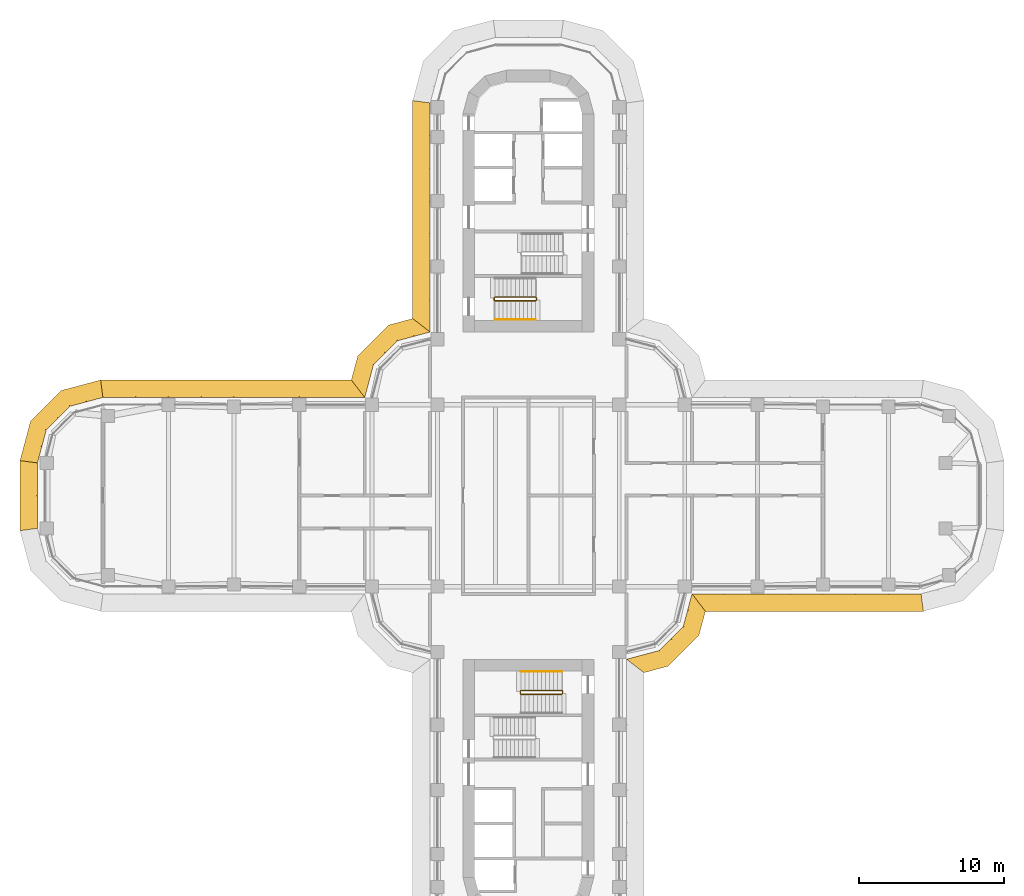
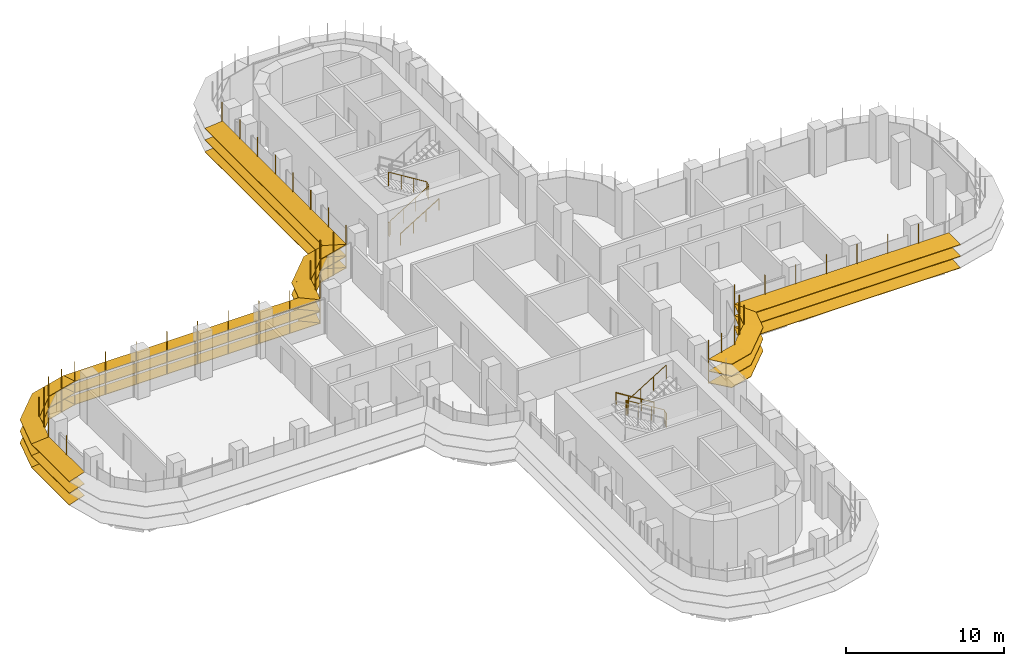
# One storey, part 20 of 22: 7 shading devices, 4 railings.
"""IFC4 building model written with IfcOpenShell, lengths in metres."""

from ifc_helpers import new_model, si_unit, direction, frame, origin, origin_2d, place, context, subcontext, project, spatial, polyline, circle, outline, extrude, faceted_brep, source, transform, mapped, material, type_object, element, save


model = new_model("IFC4")

# Units and contexts
model_context = context("Model", 3, precision=1e-05, world=origin(), true_north=direction((0.0, 1.0)))
body_context = subcontext(model_context, "Body", "Model", "MODEL_VIEW")
ifc_project = project(units=[si_unit("LENGTHUNIT", "METRE"), si_unit("AREAUNIT", "SQUARE_METRE"), si_unit("VOLUMEUNIT", "CUBIC_METRE"), si_unit("PLANEANGLEUNIT", "RADIAN"), si_unit("MASSUNIT", "GRAM", prefix="KILO")], contexts=[model_context])

# Site, building, storey
site_placement = place(None, origin())
site = spatial("IfcSite", under=ifc_project, at=site_placement, CompositionType="ELEMENT")
building_placement = place(site_placement, origin())
building = spatial("IfcBuilding", under=site, at=building_placement, Name="Zarbagh Exchange Tower", CompositionType="ELEMENT")
storey_placement = place(building_placement, frame((0.0, 0.0, 132.199951171875)))
storey = spatial("IfcBuildingStorey", under=building, at=storey_placement, Name="L31", CompositionType="ELEMENT", Elevation=132.199951171875)

# Railings
ifc_material_1 = material(Name="Stainless steel", Category="steel")
railing_type_1 = type_object("IfcRailingType", Name="Stair guard 1100 mm", PredefinedType="GUARDRAIL", material=ifc_material_1)
railing_1_placement = place(storey_placement, frame((-2.35009765625, 13.60009765625, 0.0)))
element("IfcRailing", 1, at=railing_1_placement, inside=storey, type_object=railing_type_1, Name="ST2 stair guard 1", PredefinedType="GUARDRAIL", context=body_context, shape_type="SweptSolid", body=[
    extrude(circle(Radius=0.02392578125, at=origin_2d()), frame((0.0, 0.0, 1.076171875), z_axis=(0.0, -1.0, 0.0), x_axis=(1.0, 0.0, 0.0)), (0.0, 0.0, 1.0), 0.150146484375),
    extrude(circle(Radius=0.02392578125, at=origin_2d()), frame((0.0, -0.150146484375, 1.076171875), z_axis=(0.267953482034, -0.267953482034, 0.925419830635), x_axis=(0.707106781187, 0.707106781187, 0.0)), (0.0, 0.0, 1.0), 0.186767578125),
    extrude(circle(Radius=0.02392578125, at=origin_2d()), frame((0.050048828125, -0.2001953125, 1.2490234375), z_axis=(0.851089632645, 0.0, 0.525020415988), x_axis=(0.0, 1.0, 0.0)), (0.0, 0.0, 1.0), 3.2900390625),
    extrude(circle(Radius=0.02392578125, at=origin_2d()), frame((2.85009765625, -0.2001953125, 2.97607421875), z_axis=(0.707106781187, 0.707106781187, 0.0), x_axis=(-0.707106781187, 0.707106781187, 0.0)), (0.0, 0.0, 1.0), 0.07080078125),
    extrude(circle(Radius=0.02392578125, at=origin_2d()), frame((2.900146484375, -0.150146484375, 2.97607421875), z_axis=(0.0, 1.0, 0.0), x_axis=(-1.0, 0.0, 0.0)), (0.0, 0.0, 1.0), 0.150146484375),
    extrude(circle(Radius=0.02392578125, at=origin_2d()), frame((2.900146484375, 0.0, 2.97607421875), z_axis=(-0.268371968888, 0.267062837333, 0.925556009775), x_axis=(-0.705375805398, -0.708833529934, 0.0)), (0.0, 0.0, 1.0), 0.1865234375),
    extrude(circle(Radius=0.02392578125, at=origin_2d()), frame((2.85009765625, 0.0498046875, 3.14892578125), z_axis=(-0.851089632645, 0.0, 0.525020415988), x_axis=(0.0, -1.0, 0.0)), (0.0, 0.0, 1.0), 3.2900390625),
    extrude(circle(Radius=0.02099609375, at=origin_2d()), origin(), (0.0, 0.0, 1.0), 1.052001953125),
    extrude(circle(Radius=0.02099609375, at=origin_2d()), frame((0.0, -0.150146484375, 0.0)), (0.0, 0.0, 1.0), 1.052001953125),
    extrude(circle(Radius=0.02099609375, at=origin_2d()), frame((0.050048828125, -0.2001953125, 0.1728515625)), (0.0, 0.0, 1.0), 1.052001953125),
    extrude(circle(Radius=0.02099609375, at=origin_2d()), frame((0.9833984375, -0.2001953125, 0.74853515625)), (0.0, 0.0, 1.0), 1.052001953125),
    extrude(circle(Radius=0.02099609375, at=origin_2d()), frame((1.916748046875, -0.2001953125, 1.324462890625)), (0.0, 0.0, 1.0), 1.052001953125),
    extrude(circle(Radius=0.02099609375, at=origin_2d()), frame((2.85009765625, -0.2001953125, 1.900146484375)), (0.0, 0.0, 1.0), 1.052001953125),
    extrude(circle(Radius=0.02099609375, at=origin_2d()), frame((2.900146484375, -0.150146484375, 1.900146484375)), (0.0, 0.0, 1.0), 1.052001953125),
    extrude(circle(Radius=0.02099609375, at=origin_2d()), frame((2.900146484375, 0.0, 1.900146484375)), (0.0, 0.0, 1.0), 1.052001953125),
    extrude(circle(Radius=0.02099609375, at=origin_2d()), frame((2.85009765625, 0.0498046875, 2.07275390625)), (0.0, 0.0, 1.0), 1.052001953125),
    extrude(circle(Radius=0.02099609375, at=origin_2d()), frame((1.916748046875, 0.0498046875, 2.6484375)), (0.0, 0.0, 1.0), 1.052001953125),
    extrude(circle(Radius=0.02099609375, at=origin_2d()), frame((0.9833984375, 0.0498046875, 3.224365234375)), (0.0, 0.0, 1.0), 1.052001953125),
    extrude(circle(Radius=0.02099609375, at=origin_2d()), frame((0.050048828125, 0.0498046875, 3.800048828125)), (0.0, 0.0, 1.0), 1.052001953125),
])
railing_2_placement = place(storey_placement, frame((2.35009765625, -13.60009765625, 0.0)))
element("IfcRailing", 2, at=railing_2_placement, inside=storey, type_object=railing_type_1, Name="ST4 stair guard 1", PredefinedType="GUARDRAIL", context=body_context, shape_type="SweptSolid", body=[
    extrude(circle(Radius=0.02392578125, at=origin_2d()), frame((0.0, 0.0, 1.076171875), z_axis=(0.0, 1.0, 0.0), x_axis=(-1.0, 0.0, 0.0)), (0.0, 0.0, 1.0), 0.150146484375),
    extrude(circle(Radius=0.02392578125, at=origin_2d()), frame((0.0, 0.150146484375, 1.076171875), z_axis=(-0.267953482034, 0.267953482034, 0.925419830635), x_axis=(-0.707106781187, -0.707106781187, 0.0)), (0.0, 0.0, 1.0), 0.186767578125),
    extrude(circle(Radius=0.02392578125, at=origin_2d()), frame((-0.050048828125, 0.2001953125, 1.2490234375), z_axis=(-0.851089632645, 0.0, 0.525020415988), x_axis=(0.0, -1.0, 0.0)), (0.0, 0.0, 1.0), 3.2900390625),
    extrude(circle(Radius=0.02392578125, at=origin_2d()), frame((-2.85009765625, 0.2001953125, 2.97607421875), z_axis=(-0.707106781187, -0.707106781187, 0.0), x_axis=(0.707106781187, -0.707106781187, 0.0)), (0.0, 0.0, 1.0), 0.07080078125),
    extrude(circle(Radius=0.02392578125, at=origin_2d()), frame((-2.900146484375, 0.150146484375, 2.97607421875), z_axis=(0.0, -1.0, 0.0), x_axis=(1.0, 0.0, 0.0)), (0.0, 0.0, 1.0), 0.150146484375),
    extrude(circle(Radius=0.02392578125, at=origin_2d()), frame((-2.900146484375, 0.0, 2.97607421875), z_axis=(0.268371968888, -0.267062837333, 0.925556009775), x_axis=(0.705375805398, 0.708833529934, 0.0)), (0.0, 0.0, 1.0), 0.1865234375),
    extrude(circle(Radius=0.02392578125, at=origin_2d()), frame((-2.85009765625, -0.0498046875, 3.14892578125), z_axis=(0.851089632645, 0.0, 0.525020415988), x_axis=(0.0, 1.0, 0.0)), (0.0, 0.0, 1.0), 3.2900390625),
    extrude(circle(Radius=0.02099609375, at=origin_2d()), origin(), (0.0, 0.0, 1.0), 1.052001953125),
    extrude(circle(Radius=0.02099609375, at=origin_2d()), frame((0.0, 0.150146484375, 0.0)), (0.0, 0.0, 1.0), 1.052001953125),
    extrude(circle(Radius=0.02099609375, at=origin_2d()), frame((-0.050048828125, 0.2001953125, 0.1728515625)), (0.0, 0.0, 1.0), 1.052001953125),
    extrude(circle(Radius=0.02099609375, at=origin_2d()), frame((-0.9833984375, 0.2001953125, 0.74853515625)), (0.0, 0.0, 1.0), 1.052001953125),
    extrude(circle(Radius=0.02099609375, at=origin_2d()), frame((-1.916748046875, 0.2001953125, 1.324462890625)), (0.0, 0.0, 1.0), 1.052001953125),
    extrude(circle(Radius=0.02099609375, at=origin_2d()), frame((-2.85009765625, 0.2001953125, 1.900146484375)), (0.0, 0.0, 1.0), 1.052001953125),
    extrude(circle(Radius=0.02099609375, at=origin_2d()), frame((-2.900146484375, 0.150146484375, 1.900146484375)), (0.0, 0.0, 1.0), 1.052001953125),
    extrude(circle(Radius=0.02099609375, at=origin_2d()), frame((-2.900146484375, 0.0, 1.900146484375)), (0.0, 0.0, 1.0), 1.052001953125),
    extrude(circle(Radius=0.02099609375, at=origin_2d()), frame((-2.85009765625, -0.0498046875, 2.07275390625)), (0.0, 0.0, 1.0), 1.052001953125),
    extrude(circle(Radius=0.02099609375, at=origin_2d()), frame((-1.916748046875, -0.0498046875, 2.6484375)), (0.0, 0.0, 1.0), 1.052001953125),
    extrude(circle(Radius=0.02099609375, at=origin_2d()), frame((-0.9833984375, -0.0498046875, 3.224365234375)), (0.0, 0.0, 1.0), 1.052001953125),
    extrude(circle(Radius=0.02099609375, at=origin_2d()), frame((-0.050048828125, -0.0498046875, 3.800048828125)), (0.0, 0.0, 1.0), 1.052001953125),
])
railing_type_2 = type_object("IfcRailingType", Name="Stair handrail 900 mm", PredefinedType="HANDRAIL", material=ifc_material_1)
railing_3_placement = place(storey_placement, frame((-2.300048828125, 12.10009765625, 0.1728515625)))
element("IfcRailing", 3, at=railing_3_placement, inside=storey, type_object=railing_type_2, Name="ST2 stair handrail 1", PredefinedType="HANDRAIL", context=body_context, shape_type="SweptSolid", body=[
    extrude(circle(Radius=0.02392578125, at=origin_2d()), frame((0.0, 0.0, 0.8759765625), z_axis=(0.851089632645, 0.0, 0.525020415988), x_axis=(0.0, 1.0, 0.0)), (0.0, 0.0, 1.0), 3.2900390625),
    extrude(circle(Radius=0.02099609375, at=origin_2d()), origin(), (0.0, 0.0, 1.0), 0.851806640625),
    extrude(circle(Radius=0.02099609375, at=origin_2d()), frame((0.933349609375, 0.0, 0.57568359375)), (0.0, 0.0, 1.0), 0.851806640625),
    extrude(circle(Radius=0.02099609375, at=origin_2d()), frame((1.86669921875, 0.0, 1.151611328125)), (0.0, 0.0, 1.0), 0.851806640625),
    extrude(circle(Radius=0.02099609375, at=origin_2d()), frame((2.800048828125, 0.0, 1.727294921875)), (0.0, 0.0, 1.0), 0.851806640625),
])
railing_4_placement = place(storey_placement, frame((2.300048828125, -12.10009765625, 0.1728515625)))
element("IfcRailing", 4, at=railing_4_placement, inside=storey, type_object=railing_type_2, Name="ST4 stair handrail 1", PredefinedType="HANDRAIL", context=body_context, shape_type="SweptSolid", body=[
    extrude(circle(Radius=0.02392578125, at=origin_2d()), frame((0.0, 0.0, 0.8759765625), z_axis=(-0.851089632645, 0.0, 0.525020415988), x_axis=(0.0, -1.0, 0.0)), (0.0, 0.0, 1.0), 3.2900390625),
    extrude(circle(Radius=0.02099609375, at=origin_2d()), origin(), (0.0, 0.0, 1.0), 0.851806640625),
    extrude(circle(Radius=0.02099609375, at=origin_2d()), frame((-0.933349609375, 0.0, 0.57568359375)), (0.0, 0.0, 1.0), 0.851806640625),
    extrude(circle(Radius=0.02099609375, at=origin_2d()), frame((-1.86669921875, 0.0, 1.151611328125)), (0.0, 0.0, 1.0), 0.851806640625),
    extrude(circle(Radius=0.02099609375, at=origin_2d()), frame((-2.800048828125, 0.0, 1.727294921875)), (0.0, 0.0, 1.0), 0.851806640625),
])

# Shading devices
ifc_material_2 = material(Name="Anodised aluminium blades and brackets", Category="aluminium")
shading_device_type = type_object("IfcShadingDeviceType", Name="SUNSHADE louvre band, 11.25 degree blades", PredefinedType="JALOUSIE", material=ifc_material_2)
shared_shape_1 = source(origin(), body_context, "Body", "Brep", [
    faceted_brep([(0.0, 0.0, 0.0), (0.0, 0.0, -0.040771484375), (-0.157958984375, -1.199951171875, -0.279541015625), (-0.157958984375, -1.199951171875, -0.23876953125), (2.65087890625, -1.199951171875, -0.23876953125), (2.65087890625, -1.199951171875, -0.279541015625), (2.329345703125, 0.0, -0.040771484375), (2.329345703125, 0.0, 0.0)], [[[0, 1, 2, 3]], [[4, 5, 6, 7]], [[0, 7, 6, 1]], [[1, 6, 5, 2]], [[2, 5, 4, 3]], [[3, 4, 7, 0]]]),
])
shared_shape_2 = source(origin(), body_context, "Body", "Brep", [
    faceted_brep([(0.0, 0.0, 0.0), (0.0, 0.0, -0.040771484375), (-0.321533203125, -1.199951171875, -0.279541015625), (-0.321533203125, -1.199951171875, -0.23876953125), (2.65087890625, -1.199951171875, -0.23876953125), (2.65087890625, -1.199951171875, -0.279541015625), (2.329345703125, 0.0, -0.040771484375), (2.329345703125, 0.0, 0.0)], [[[0, 1, 2, 3]], [[4, 5, 6, 7]], [[0, 7, 6, 1]], [[1, 6, 5, 2]], [[2, 5, 4, 3]], [[3, 4, 7, 0]]]),
])
shared_shape_3 = source(origin(), body_context, "Body", "Brep", [
    faceted_brep([(0.0, 0.0, 0.0), (0.0, 0.0, -0.040771484375), (-0.321533203125, -1.199951171875, -0.279541015625), (-0.321533203125, -1.199951171875, -0.23876953125), (2.4873046875, -1.199951171875, -0.23876953125), (2.4873046875, -1.199951171875, -0.279541015625), (2.329345703125, 0.0, -0.040771484375), (2.329345703125, 0.0, 0.0)], [[[0, 1, 2, 3]], [[4, 5, 6, 7]], [[0, 7, 6, 1]], [[1, 6, 5, 2]], [[2, 5, 4, 3]], [[3, 4, 7, 0]]]),
])
shared_shape_4 = source(origin(), body_context, "Body", "SweptSolid", [
    extrude(outline(polyline([(0.0, -0.012451171875), (0.06005859375, -0.012451171875), (0.06005859375, 0.012451171875), (0.0, 0.012451171875), (0.0, -0.012451171875)])), origin(), (0.0, 0.0, 1.0), 3.350830078125),
])
placement = place(storey_placement, origin())
element("IfcShadingDevice", 5, at=placement, inside=storey, type_object=shading_device_type, Name="SS17 sunshade band", PredefinedType="JALOUSIE", context=body_context, shape_type="MappedRepresentation", body=[
    mapped(shared_shape_1, transform((-29.25, 6.75, 2.300048828125), x_axis=(-0.965924289636, -0.258824779902, 0.0), y_axis=(0.258824779902, -0.965924289636, 0.0), z_axis=(0.0, 0.0, 1.0))),
    mapped(shared_shape_1, transform((-29.25, 6.75, 1.400146484375), x_axis=(-0.965924289636, -0.258824779902, 0.0), y_axis=(0.258824779902, -0.965924289636, 0.0), z_axis=(0.0, 0.0, 1.0))),
    mapped(shared_shape_1, transform((-29.25, 6.75, 0.5), x_axis=(-0.965924289636, -0.258824779902, 0.0), y_axis=(0.258824779902, -0.965924289636, 0.0), z_axis=(0.0, 0.0, 1.0))),
    mapped(shared_shape_2, transform((-31.5, 6.147216796875, 2.300048828125), x_axis=(-0.707106781187, -0.707106781187, 0.0), y_axis=(0.707106781187, -0.707106781187, 0.0), z_axis=(0.0, 0.0, 1.0))),
    mapped(shared_shape_2, transform((-31.5, 6.147216796875, 1.400146484375), x_axis=(-0.707106781187, -0.707106781187, 0.0), y_axis=(0.707106781187, -0.707106781187, 0.0), z_axis=(0.0, 0.0, 1.0))),
    mapped(shared_shape_2, transform((-31.5, 6.147216796875, 0.5), x_axis=(-0.707106781187, -0.707106781187, 0.0), y_axis=(0.707106781187, -0.707106781187, 0.0), z_axis=(0.0, 0.0, 1.0))),
    mapped(shared_shape_3, transform((-33.147216796875, 4.5, 2.300048828125), x_axis=(-0.258824779902, -0.965924289636, 0.0), y_axis=(0.965924289636, -0.258824779902, 0.0), z_axis=(0.0, 0.0, 1.0))),
    mapped(shared_shape_3, transform((-33.147216796875, 4.5, 1.400146484375), x_axis=(-0.258824779902, -0.965924289636, 0.0), y_axis=(0.965924289636, -0.258824779902, 0.0), z_axis=(0.0, 0.0, 1.0))),
    mapped(shared_shape_3, transform((-33.147216796875, 4.5, 0.5), x_axis=(-0.258824779902, -0.965924289636, 0.0), y_axis=(0.965924289636, -0.258824779902, 0.0), z_axis=(0.0, 0.0, 1.0))),
    mapped(shared_shape_4, transform((-29.25, 6.75, 0.42919921875), x_axis=(-0.130529263012, 0.991444457092, 0.0), y_axis=(-0.991444457092, -0.130529263012, 0.0), z_axis=(0.0, 0.0, 1.0))),
    mapped(shared_shape_4, transform((-30.375, 6.448486328125, 0.42919921875), x_axis=(-0.258825058029, 0.96592421511, 0.0), y_axis=(-0.96592421511, -0.258825058029, 0.0), z_axis=(0.0, 0.0, 1.0))),
    mapped(shared_shape_4, transform((-31.5, 6.147216796875, 0.42919921875), x_axis=(-0.50000275701, 0.866023812018, 0.0), y_axis=(-0.866023812018, -0.50000275701, 0.0), z_axis=(0.0, 0.0, 1.0))),
    mapped(shared_shape_4, transform((-32.323486328125, 5.323486328125, 0.42919921875), x_axis=(-0.707106781187, 0.707106781187, 0.0), y_axis=(-0.707106781187, -0.707106781187, 0.0), z_axis=(0.0, 0.0, 1.0))),
    mapped(shared_shape_4, transform((-33.147216796875, 4.5, 0.42919921875), x_axis=(-0.866023812018, 0.50000275701, 0.0), y_axis=(-0.50000275701, -0.866023812018, 0.0), z_axis=(0.0, 0.0, 1.0))),
    mapped(shared_shape_4, transform((-33.448486328125, 3.375, 0.42919921875), x_axis=(-0.96592421511, 0.258825058029, 0.0), y_axis=(-0.258825058029, -0.96592421511, 0.0), z_axis=(0.0, 0.0, 1.0))),
])
shared_shape_5 = source(origin(), body_context, "Body", "Brep", [
    faceted_brep([(0.0, 0.0, 0.0), (0.0, 0.0, -0.040771484375), (0.9208984375, -1.199951171875, -0.279541015625), (0.9208984375, -1.199951171875, -0.23876953125), (2.65087890625, -1.199951171875, -0.23876953125), (2.65087890625, -1.199951171875, -0.279541015625), (2.329345703125, 0.0, -0.040771484375), (2.329345703125, 0.0, 0.0)], [[[0, 1, 2, 3]], [[4, 5, 6, 7]], [[0, 7, 6, 1]], [[1, 6, 5, 2]], [[2, 5, 4, 3]], [[3, 4, 7, 0]]]),
])
shared_shape_6 = source(origin(), body_context, "Body", "Brep", [
    faceted_brep([(0.0, 0.0, 0.0), (0.0, 0.0, -0.040771484375), (-0.321533203125, -1.199951171875, -0.279541015625), (-0.321533203125, -1.199951171875, -0.23876953125), (1.40869140625, -1.199951171875, -0.23876953125), (1.40869140625, -1.199951171875, -0.279541015625), (2.329345703125, 0.0, -0.040771484375), (2.329345703125, 0.0, 0.0)], [[[0, 1, 2, 3]], [[4, 5, 6, 7]], [[0, 7, 6, 1]], [[1, 6, 5, 2]], [[2, 5, 4, 3]], [[3, 4, 7, 0]]]),
])
element("IfcShadingDevice", 6, at=placement, inside=storey, type_object=shading_device_type, Name="SS03 sunshade band", PredefinedType="JALOUSIE", context=body_context, shape_type="MappedRepresentation", body=[
    mapped(shared_shape_5, transform((6.75, -11.25, 2.300048828125), x_axis=(0.965924289636, 0.258824779902, 0.0), y_axis=(-0.258824779902, 0.965924289636, 0.0), z_axis=(0.0, 0.0, 1.0))),
    mapped(shared_shape_5, transform((6.75, -11.25, 1.400146484375), x_axis=(0.965924289636, 0.258824779902, 0.0), y_axis=(-0.258824779902, 0.965924289636, 0.0), z_axis=(0.0, 0.0, 1.0))),
    mapped(shared_shape_5, transform((6.75, -11.25, 0.5), x_axis=(0.965924289636, 0.258824779902, 0.0), y_axis=(-0.258824779902, 0.965924289636, 0.0), z_axis=(0.0, 0.0, 1.0))),
    mapped(shared_shape_2, transform((9.0, -10.647216796875, 2.300048828125), x_axis=(0.707106781187, 0.707106781187, 0.0), y_axis=(-0.707106781187, 0.707106781187, 0.0), z_axis=(0.0, 0.0, 1.0))),
    mapped(shared_shape_2, transform((9.0, -10.647216796875, 1.400146484375), x_axis=(0.707106781187, 0.707106781187, 0.0), y_axis=(-0.707106781187, 0.707106781187, 0.0), z_axis=(0.0, 0.0, 1.0))),
    mapped(shared_shape_2, transform((9.0, -10.647216796875, 0.5), x_axis=(0.707106781187, 0.707106781187, 0.0), y_axis=(-0.707106781187, 0.707106781187, 0.0), z_axis=(0.0, 0.0, 1.0))),
    mapped(shared_shape_6, transform((10.647216796875, -9.0, 2.300048828125), x_axis=(0.258824779902, 0.965924289636, 0.0), y_axis=(-0.965924289636, 0.258824779902, 0.0), z_axis=(0.0, 0.0, 1.0))),
    mapped(shared_shape_6, transform((10.647216796875, -9.0, 1.400146484375), x_axis=(0.258824779902, 0.965924289636, 0.0), y_axis=(-0.965924289636, 0.258824779902, 0.0), z_axis=(0.0, 0.0, 1.0))),
    mapped(shared_shape_6, transform((10.647216796875, -9.0, 0.5), x_axis=(0.258824779902, 0.965924289636, 0.0), y_axis=(-0.965924289636, 0.258824779902, 0.0), z_axis=(0.0, 0.0, 1.0))),
    mapped(shared_shape_4, transform((6.75, -11.25, 0.42919921875), x_axis=(0.793355287, -0.608758892, 0.0), y_axis=(0.608758892, 0.793355287, 0.0), z_axis=(0.0, 0.0, 1.0))),
    mapped(shared_shape_4, transform((7.875, -10.948486328125, 0.42919921875), x_axis=(0.258825058029, -0.96592421511, 0.0), y_axis=(0.96592421511, 0.258825058029, 0.0), z_axis=(0.0, 0.0, 1.0))),
    mapped(shared_shape_4, transform((9.0, -10.647216796875, 0.42919921875), x_axis=(0.50000275701, -0.866023812018, 0.0), y_axis=(0.866023812018, 0.50000275701, 0.0), z_axis=(0.0, 0.0, 1.0))),
    mapped(shared_shape_4, transform((9.823486328125, -9.823486328125, 0.42919921875), x_axis=(0.707106781187, -0.707106781187, 0.0), y_axis=(0.707106781187, 0.707106781187, 0.0), z_axis=(0.0, 0.0, 1.0))),
    mapped(shared_shape_4, transform((10.647216796875, -9.0, 0.42919921875), x_axis=(0.866023812018, -0.50000275701, 0.0), y_axis=(0.50000275701, 0.866023812018, 0.0), z_axis=(0.0, 0.0, 1.0))),
    mapped(shared_shape_4, transform((10.948486328125, -7.875, 0.42919921875), x_axis=(0.96592421511, -0.258825058029, 0.0), y_axis=(0.258825058029, 0.96592421511, 0.0), z_axis=(0.0, 0.0, 1.0))),
])
element("IfcShadingDevice", 7, at=placement, inside=storey, type_object=shading_device_type, Name="SS15 sunshade band", PredefinedType="JALOUSIE", context=body_context, shape_type="MappedRepresentation", body=[
    mapped(shared_shape_5, transform((-6.75, 11.25, 2.300048828125), x_axis=(-0.965924289636, -0.258824779902, 0.0), y_axis=(0.258824779902, -0.965924289636, 0.0), z_axis=(0.0, 0.0, 1.0))),
    mapped(shared_shape_5, transform((-6.75, 11.25, 1.400146484375), x_axis=(-0.965924289636, -0.258824779902, 0.0), y_axis=(0.258824779902, -0.965924289636, 0.0), z_axis=(0.0, 0.0, 1.0))),
    mapped(shared_shape_5, transform((-6.75, 11.25, 0.5), x_axis=(-0.965924289636, -0.258824779902, 0.0), y_axis=(0.258824779902, -0.965924289636, 0.0), z_axis=(0.0, 0.0, 1.0))),
    mapped(shared_shape_2, transform((-9.0, 10.647216796875, 2.300048828125), x_axis=(-0.707106781187, -0.707106781187, 0.0), y_axis=(0.707106781187, -0.707106781187, 0.0), z_axis=(0.0, 0.0, 1.0))),
    mapped(shared_shape_2, transform((-9.0, 10.647216796875, 1.400146484375), x_axis=(-0.707106781187, -0.707106781187, 0.0), y_axis=(0.707106781187, -0.707106781187, 0.0), z_axis=(0.0, 0.0, 1.0))),
    mapped(shared_shape_2, transform((-9.0, 10.647216796875, 0.5), x_axis=(-0.707106781187, -0.707106781187, 0.0), y_axis=(0.707106781187, -0.707106781187, 0.0), z_axis=(0.0, 0.0, 1.0))),
    mapped(shared_shape_6, transform((-10.647216796875, 9.0, 2.300048828125), x_axis=(-0.258824779902, -0.965924289636, 0.0), y_axis=(0.965924289636, -0.258824779902, 0.0), z_axis=(0.0, 0.0, 1.0))),
    mapped(shared_shape_6, transform((-10.647216796875, 9.0, 1.400146484375), x_axis=(-0.258824779902, -0.965924289636, 0.0), y_axis=(0.965924289636, -0.258824779902, 0.0), z_axis=(0.0, 0.0, 1.0))),
    mapped(shared_shape_6, transform((-10.647216796875, 9.0, 0.5), x_axis=(-0.258824779902, -0.965924289636, 0.0), y_axis=(0.965924289636, -0.258824779902, 0.0), z_axis=(0.0, 0.0, 1.0))),
    mapped(shared_shape_4, transform((-6.75, 11.25, 0.42919921875), x_axis=(-0.793355287, 0.608758892, 0.0), y_axis=(-0.608758892, -0.793355287, 0.0), z_axis=(0.0, 0.0, 1.0))),
    mapped(shared_shape_4, transform((-7.875, 10.948486328125, 0.42919921875), x_axis=(-0.258825058029, 0.96592421511, 0.0), y_axis=(-0.96592421511, -0.258825058029, 0.0), z_axis=(0.0, 0.0, 1.0))),
    mapped(shared_shape_4, transform((-9.0, 10.647216796875, 0.42919921875), x_axis=(-0.50000275701, 0.866023812018, 0.0), y_axis=(-0.866023812018, -0.50000275701, 0.0), z_axis=(0.0, 0.0, 1.0))),
    mapped(shared_shape_4, transform((-9.823486328125, 9.823486328125, 0.42919921875), x_axis=(-0.707106781187, 0.707106781187, 0.0), y_axis=(-0.707106781187, -0.707106781187, 0.0), z_axis=(0.0, 0.0, 1.0))),
    mapped(shared_shape_4, transform((-10.647216796875, 9.0, 0.42919921875), x_axis=(-0.866023812018, 0.50000275701, 0.0), y_axis=(-0.50000275701, -0.866023812018, 0.0), z_axis=(0.0, 0.0, 1.0))),
    mapped(shared_shape_4, transform((-10.948486328125, 7.875, 0.42919921875), x_axis=(-0.96592421511, 0.258825058029, 0.0), y_axis=(-0.258825058029, -0.96592421511, 0.0), z_axis=(0.0, 0.0, 1.0))),
])
shared_shape_7 = source(origin(), body_context, "Body", "Brep", [
    faceted_brep([(0.0, 0.0, 0.0), (0.0, 0.0, -0.040771484375), (0.9208984375, -1.199951171875, -0.279541015625), (0.9208984375, -1.199951171875, -0.23876953125), (15.907958984375, -1.199951171875, -0.23876953125), (15.907958984375, -1.199951171875, -0.279541015625), (15.75, 0.0, -0.040771484375), (15.75, 0.0, 0.0)], [[[0, 1, 2, 3]], [[4, 5, 6, 7]], [[0, 7, 6, 1]], [[1, 6, 5, 2]], [[2, 5, 4, 3]], [[3, 4, 7, 0]]]),
])
element("IfcShadingDevice", 8, at=placement, inside=storey, type_object=shading_device_type, Name="SS30 sunshade band", PredefinedType="JALOUSIE", context=body_context, shape_type="MappedRepresentation", body=[
    mapped(shared_shape_7, transform((11.25, -6.75, 2.300048828125), x_axis=(1.0, 0.0, 0.0), y_axis=(0.0, 1.0, 0.0), z_axis=(0.0, 0.0, 1.0))),
    mapped(shared_shape_7, transform((11.25, -6.75, 1.400146484375), x_axis=(1.0, 0.0, 0.0), y_axis=(0.0, 1.0, 0.0), z_axis=(0.0, 0.0, 1.0))),
    mapped(shared_shape_7, transform((11.25, -6.75, 0.5), x_axis=(1.0, 0.0, 0.0), y_axis=(0.0, 1.0, 0.0), z_axis=(0.0, 0.0, 1.0))),
    mapped(shared_shape_4, transform((11.25, -6.75, 0.42919921875), x_axis=(0.608758892, -0.793355287, 0.0), y_axis=(0.793355287, 0.608758892, 0.0), z_axis=(0.0, 0.0, 1.0))),
    mapped(shared_shape_4, transform((13.5, -6.75, 0.42919921875), x_axis=(0.0, -1.0, 0.0), y_axis=(1.0, 0.0, 0.0), z_axis=(0.0, 0.0, 1.0))),
    mapped(shared_shape_4, transform((15.75, -6.75, 0.42919921875), x_axis=(0.0, -1.0, 0.0), y_axis=(1.0, 0.0, 0.0), z_axis=(0.0, 0.0, 1.0))),
    mapped(shared_shape_4, transform((18.0, -6.75, 0.42919921875), x_axis=(0.0, -1.0, 0.0), y_axis=(1.0, 0.0, 0.0), z_axis=(0.0, 0.0, 1.0))),
    mapped(shared_shape_4, transform((20.25, -6.75, 0.42919921875), x_axis=(0.0, -1.0, 0.0), y_axis=(1.0, 0.0, 0.0), z_axis=(0.0, 0.0, 1.0))),
    mapped(shared_shape_4, transform((22.5, -6.75, 0.42919921875), x_axis=(0.0, -1.0, 0.0), y_axis=(1.0, 0.0, 0.0), z_axis=(0.0, 0.0, 1.0))),
    mapped(shared_shape_4, transform((24.75, -6.75, 0.42919921875), x_axis=(0.0, -1.0, 0.0), y_axis=(1.0, 0.0, 0.0), z_axis=(0.0, 0.0, 1.0))),
])
shared_shape_8 = source(origin(), body_context, "Body", "Brep", [
    faceted_brep([(0.0, 0.0, 0.0), (0.0, 0.0, -0.040771484375), (-0.157958984375, -1.199951171875, -0.279541015625), (-0.157958984375, -1.199951171875, -0.23876953125), (14.8291015625, -1.199951171875, -0.23876953125), (14.8291015625, -1.199951171875, -0.279541015625), (15.75, 0.0, -0.040771484375), (15.75, 0.0, 0.0)], [[[0, 1, 2, 3]], [[4, 5, 6, 7]], [[0, 7, 6, 1]], [[1, 6, 5, 2]], [[2, 5, 4, 3]], [[3, 4, 7, 0]]]),
])
element("IfcShadingDevice", 9, at=placement, inside=storey, type_object=shading_device_type, Name="SS29 sunshade band", PredefinedType="JALOUSIE", context=body_context, shape_type="MappedRepresentation", body=[
    mapped(shared_shape_8, transform((-6.75, 27.0, 2.300048828125), x_axis=(0.0, -1.0, 0.0), y_axis=(1.0, 0.0, 0.0), z_axis=(0.0, 0.0, 1.0))),
    mapped(shared_shape_8, transform((-6.75, 27.0, 1.400146484375), x_axis=(0.0, -1.0, 0.0), y_axis=(1.0, 0.0, 0.0), z_axis=(0.0, 0.0, 1.0))),
    mapped(shared_shape_8, transform((-6.75, 27.0, 0.5), x_axis=(0.0, -1.0, 0.0), y_axis=(1.0, 0.0, 0.0), z_axis=(0.0, 0.0, 1.0))),
    mapped(shared_shape_4, transform((-6.75, 27.0, 0.42919921875), x_axis=(-0.991444457092, 0.130529263012, 0.0), y_axis=(-0.130529263012, -0.991444457092, 0.0), z_axis=(0.0, 0.0, 1.0))),
    mapped(shared_shape_4, transform((-6.75, 24.75, 0.42919921875), x_axis=(-1.0, 0.0, 0.0), y_axis=(0.0, -1.0, 0.0), z_axis=(0.0, 0.0, 1.0))),
    mapped(shared_shape_4, transform((-6.75, 22.5, 0.42919921875), x_axis=(-1.0, 0.0, 0.0), y_axis=(0.0, -1.0, 0.0), z_axis=(0.0, 0.0, 1.0))),
    mapped(shared_shape_4, transform((-6.75, 20.25, 0.42919921875), x_axis=(-1.0, 0.0, 0.0), y_axis=(0.0, -1.0, 0.0), z_axis=(0.0, 0.0, 1.0))),
    mapped(shared_shape_4, transform((-6.75, 18.0, 0.42919921875), x_axis=(-1.0, 0.0, 0.0), y_axis=(0.0, -1.0, 0.0), z_axis=(0.0, 0.0, 1.0))),
    mapped(shared_shape_4, transform((-6.75, 15.75, 0.42919921875), x_axis=(-1.0, 0.0, 0.0), y_axis=(0.0, -1.0, 0.0), z_axis=(0.0, 0.0, 1.0))),
    mapped(shared_shape_4, transform((-6.75, 13.5, 0.42919921875), x_axis=(-1.0, 0.0, 0.0), y_axis=(0.0, -1.0, 0.0), z_axis=(0.0, 0.0, 1.0))),
])
shared_shape_9 = source(origin(), body_context, "Body", "Brep", [
    faceted_brep([(0.0, 0.0, 0.0), (0.0, 0.0, -0.040771484375), (0.9208984375, -1.199951171875, -0.279541015625), (0.9208984375, -1.199951171875, -0.23876953125), (18.157958984375, -1.199951171875, -0.23876953125), (18.157958984375, -1.199951171875, -0.279541015625), (18.0, 0.0, -0.040771484375), (18.0, 0.0, 0.0)], [[[0, 1, 2, 3]], [[4, 5, 6, 7]], [[0, 7, 6, 1]], [[1, 6, 5, 2]], [[2, 5, 4, 3]], [[3, 4, 7, 0]]]),
])
element("IfcShadingDevice", 10, at=placement, inside=storey, type_object=shading_device_type, Name="SS16 sunshade band", PredefinedType="JALOUSIE", context=body_context, shape_type="MappedRepresentation", body=[
    mapped(shared_shape_9, transform((-11.25, 6.75, 2.300048828125), x_axis=(-1.0, 0.0, 0.0), y_axis=(0.0, -1.0, 0.0), z_axis=(0.0, 0.0, 1.0))),
    mapped(shared_shape_9, transform((-11.25, 6.75, 1.400146484375), x_axis=(-1.0, 0.0, 0.0), y_axis=(0.0, -1.0, 0.0), z_axis=(0.0, 0.0, 1.0))),
    mapped(shared_shape_9, transform((-11.25, 6.75, 0.5), x_axis=(-1.0, 0.0, 0.0), y_axis=(0.0, -1.0, 0.0), z_axis=(0.0, 0.0, 1.0))),
    mapped(shared_shape_4, transform((-11.25, 6.75, 0.42919921875), x_axis=(-0.608758892, 0.793355287, 0.0), y_axis=(-0.793355287, -0.608758892, 0.0), z_axis=(0.0, 0.0, 1.0))),
    mapped(shared_shape_4, transform((-13.5, 6.75, 0.42919921875), x_axis=(0.0, 1.0, 0.0), y_axis=(-1.0, 0.0, 0.0), z_axis=(0.0, 0.0, 1.0))),
    mapped(shared_shape_4, transform((-15.75, 6.75, 0.42919921875), x_axis=(0.0, 1.0, 0.0), y_axis=(-1.0, 0.0, 0.0), z_axis=(0.0, 0.0, 1.0))),
    mapped(shared_shape_4, transform((-18.0, 6.75, 0.42919921875), x_axis=(0.0, 1.0, 0.0), y_axis=(-1.0, 0.0, 0.0), z_axis=(0.0, 0.0, 1.0))),
    mapped(shared_shape_4, transform((-20.25, 6.75, 0.42919921875), x_axis=(0.0, 1.0, 0.0), y_axis=(-1.0, 0.0, 0.0), z_axis=(0.0, 0.0, 1.0))),
    mapped(shared_shape_4, transform((-22.5, 6.75, 0.42919921875), x_axis=(0.0, 1.0, 0.0), y_axis=(-1.0, 0.0, 0.0), z_axis=(0.0, 0.0, 1.0))),
    mapped(shared_shape_4, transform((-24.75, 6.75, 0.42919921875), x_axis=(0.0, 1.0, 0.0), y_axis=(-1.0, 0.0, 0.0), z_axis=(0.0, 0.0, 1.0))),
    mapped(shared_shape_4, transform((-27.0, 6.75, 0.42919921875), x_axis=(0.0, 1.0, 0.0), y_axis=(-1.0, 0.0, 0.0), z_axis=(0.0, 0.0, 1.0))),
])
shared_shape_10 = source(origin(), body_context, "Body", "Brep", [
    faceted_brep([(0.0, 0.0, 0.0), (0.0, 0.0, -0.040771484375), (-0.157958984375, -1.199951171875, -0.279541015625), (-0.157958984375, -1.199951171875, -0.23876953125), (4.657958984375, -1.199951171875, -0.23876953125), (4.657958984375, -1.199951171875, -0.279541015625), (4.5, 0.0, -0.040771484375), (4.5, 0.0, 0.0)], [[[0, 1, 2, 3]], [[4, 5, 6, 7]], [[0, 7, 6, 1]], [[1, 6, 5, 2]], [[2, 5, 4, 3]], [[3, 4, 7, 0]]]),
])
element("IfcShadingDevice", 11, at=placement, inside=storey, type_object=shading_device_type, Name="SS18 sunshade band", PredefinedType="JALOUSIE", context=body_context, shape_type="MappedRepresentation", body=[
    mapped(shared_shape_10, transform((-33.75, 2.25, 2.300048828125), x_axis=(0.0, -1.0, 0.0), y_axis=(1.0, 0.0, 0.0), z_axis=(0.0, 0.0, 1.0))),
    mapped(shared_shape_10, transform((-33.75, 2.25, 1.400146484375), x_axis=(0.0, -1.0, 0.0), y_axis=(1.0, 0.0, 0.0), z_axis=(0.0, 0.0, 1.0))),
    mapped(shared_shape_10, transform((-33.75, 2.25, 0.5), x_axis=(0.0, -1.0, 0.0), y_axis=(1.0, 0.0, 0.0), z_axis=(0.0, 0.0, 1.0))),
    mapped(shared_shape_4, transform((-33.75, 2.25, 0.42919921875), x_axis=(-0.991444457092, 0.130529263012, 0.0), y_axis=(-0.130529263012, -0.991444457092, 0.0), z_axis=(0.0, 0.0, 1.0))),
    mapped(shared_shape_4, transform((-33.75, 0.0, 0.42919921875), x_axis=(-1.0, 0.0, 0.0), y_axis=(0.0, -1.0, 0.0), z_axis=(0.0, 0.0, 1.0))),
])

save(model, "model.ifc")
